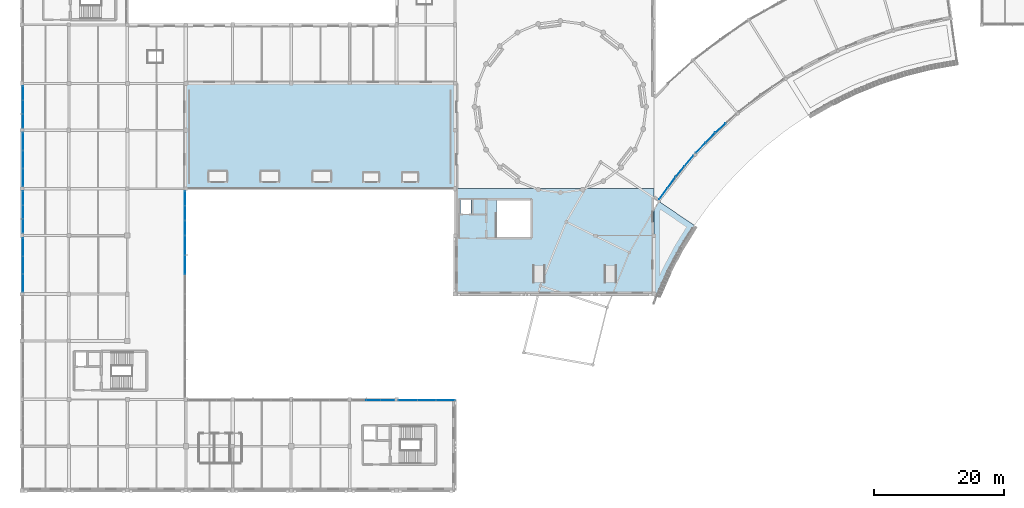
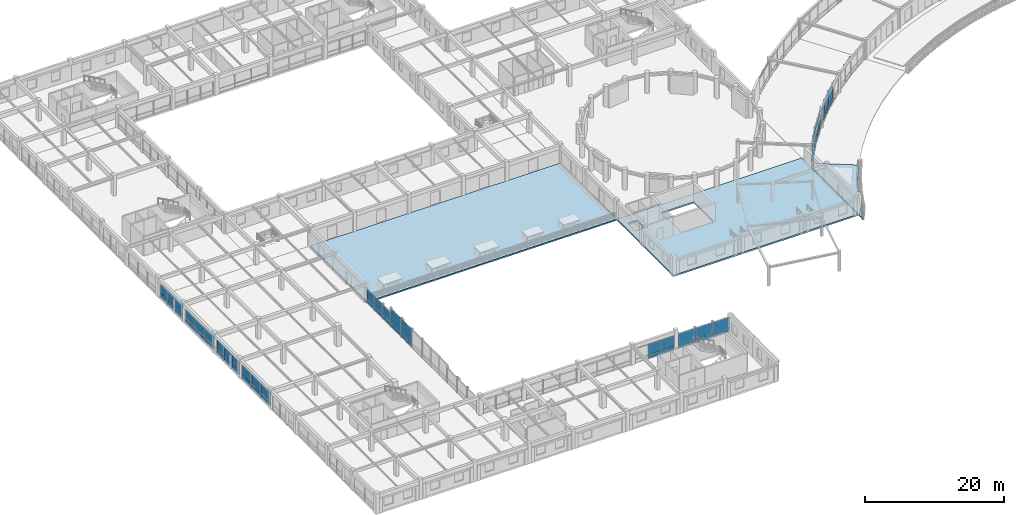
# One storey, part 43 of 74: 58 plates, 3 slabs, 12 elements without a shape of their own.
"""IFC4 building model written with IfcOpenShell, lengths in metres."""

from ifc_helpers import new_model, si_unit, direction, frame, frame_2d, origin, place, context, subcontext, project, spatial, polyline, rectangle, outline, extrude, material, layer, layer_set, type_object, element, aggregate, save


model = new_model("IFC4")

# Units and contexts
model_context = context("Model", 3, precision=1e-05, world=origin(), true_north=direction((0.0, 1.0)))
body_context = subcontext(model_context, "Body", "Model", "MODEL_VIEW")
ifc_project = project(units=[si_unit("LENGTHUNIT", "METRE"), si_unit("AREAUNIT", "SQUARE_METRE"), si_unit("VOLUMEUNIT", "CUBIC_METRE"), si_unit("PLANEANGLEUNIT", "RADIAN"), si_unit("MASSUNIT", "GRAM", prefix="KILO")], contexts=[model_context])

# Site, building, storey
site_placement = place(None, origin())
site = spatial("IfcSite", under=ifc_project, at=site_placement, CompositionType="ELEMENT")
building_placement = place(site_placement, origin())
building = spatial("IfcBuilding", under=site, at=building_placement, Name="Clarverna Civic Hall", CompositionType="ELEMENT")
storey_placement = place(building_placement, frame((0.0, 0.0, 9.60009765625)))
storey = spatial("IfcBuildingStorey", under=building, at=storey_placement, Name="L02", CompositionType="ELEMENT", Elevation=9.60009765625)

# Curtain wall, plates
ifc_material_1 = material(Name="Anodised Bronze Architectural Aluminium", Category="aluminium")
curtain_wall_type_1 = type_object("IfcCurtainWallType", Name="CW-01", PredefinedType="USERDEFINED", material=ifc_material_1)
curtain_wall_1_placement = place(storey_placement, origin())
curtain_wall_1 = element("IfcCurtainWall", 1, at=curtain_wall_1_placement, inside=storey, type_object=curtain_wall_type_1, Name="CW-01-019", ObjectType="UNITISED CURTAIN WALL", PredefinedType="USERDEFINED")
ifc_material_2 = material(Name="Solar-Control Argon Low-E Double Glazing", Category="glass")
ifc_layer_1 = layer(ifc_material_2, 0.031982421875)
ifc_layer_set_1 = layer_set([ifc_layer_1], Name="Solar-Control Argon Low-E Double Glazing")
plate_type_1 = type_object("IfcPlateType", Name="CWP-01", PredefinedType="CURTAIN_PANEL", material=ifc_layer_set_1)
plate_1_placement = place(storey_placement, frame((0.139892578125, 30.56298828125, 0.764892578125), z_axis=(0.0, 0.0, 1.0), x_axis=(0.0, 1.0, 0.0)))
plate_1 = element("IfcPlate", 2, at=plate_1_placement, type_object=plate_type_1, Name="CWP-01-212", PredefinedType="CURTAIN_PANEL", context=body_context, shape_type="SweptSolid", body=[
    extrude(rectangle(XDim=2.712890625, YDim=0.031982421875, at=frame_2d((1.3564453125, 0.0))), origin(), (0.0, 0.0, 1.0), 1.695068359375),
])
plate_2_placement = place(storey_placement, frame((0.139892578125, 33.305908203125, 0.764892578125), z_axis=(0.0, 0.0, 1.0), x_axis=(0.0, 1.0, 0.0)))
plate_2 = element("IfcPlate", 3, at=plate_2_placement, type_object=plate_type_1, Name="CWP-01-213", PredefinedType="CURTAIN_PANEL", context=body_context, shape_type="SweptSolid", body=[
    extrude(rectangle(XDim=2.713134765625, YDim=0.031982421875, at=frame_2d((1.3564453125, 0.0))), origin(), (0.0, 0.0, 1.0), 1.695068359375),
])
plate_3_placement = place(storey_placement, frame((0.139892578125, 36.049072265625, 0.764892578125), z_axis=(0.0, 0.0, 1.0), x_axis=(0.0, 1.0, 0.0)))
plate_3 = element("IfcPlate", 4, at=plate_3_placement, type_object=plate_type_1, Name="CWP-01-214", PredefinedType="CURTAIN_PANEL", context=body_context, shape_type="SweptSolid", body=[
    extrude(rectangle(XDim=2.712890625, YDim=0.031982421875, at=frame_2d((1.3564453125, 0.0))), origin(), (0.0, 0.0, 1.0), 1.695068359375),
])

curtain_wall_2_placement = place(storey_placement, origin())
curtain_wall_2 = element("IfcCurtainWall", 5, at=curtain_wall_2_placement, inside=storey, type_object=curtain_wall_type_1, Name="CW-01-020", ObjectType="UNITISED CURTAIN WALL", PredefinedType="USERDEFINED")
plate_4_placement = place(storey_placement, frame((0.139892578125, 39.637939453125, 0.764892578125), z_axis=(0.0, 0.0, 1.0), x_axis=(0.0, 1.0, 0.0)))
plate_4 = element("IfcPlate", 6, at=plate_4_placement, type_object=plate_type_1, Name="CWP-01-215", PredefinedType="CURTAIN_PANEL", context=body_context, shape_type="SweptSolid", body=[
    extrude(rectangle(XDim=2.104736328125, YDim=0.031982421875, at=frame_2d((1.05224609375, 0.0))), origin(), (0.0, 0.0, 1.0), 1.64501953125),
])
plate_5_placement = place(storey_placement, frame((0.139892578125, 41.772705078125, 0.764892578125), z_axis=(0.0, 0.0, 1.0), x_axis=(0.0, 1.0, 0.0)))
plate_5 = element("IfcPlate", 7, at=plate_5_placement, type_object=plate_type_1, Name="CWP-01-216", PredefinedType="CURTAIN_PANEL", context=body_context, shape_type="SweptSolid", body=[
    extrude(rectangle(XDim=2.1044921875, YDim=0.031982421875, at=frame_2d((1.05224609375, 0.0))), origin(), (0.0, 0.0, 1.0), 1.64501953125),
])
plate_6_placement = place(storey_placement, frame((0.139892578125, 43.9072265625, 0.764892578125), z_axis=(0.0, 0.0, 1.0), x_axis=(0.0, 1.0, 0.0)))
plate_6 = element("IfcPlate", 8, at=plate_6_placement, type_object=plate_type_1, Name="CWP-01-217", PredefinedType="CURTAIN_PANEL", context=body_context, shape_type="SweptSolid", body=[
    extrude(rectangle(XDim=2.104736328125, YDim=0.031982421875, at=frame_2d((1.05224609375, 0.0))), origin(), (0.0, 0.0, 1.0), 1.64501953125),
])

curtain_wall_3_placement = place(storey_placement, origin())
curtain_wall_3 = element("IfcCurtainWall", 9, at=curtain_wall_3_placement, inside=storey, type_object=curtain_wall_type_1, Name="CW-01-021", ObjectType="UNITISED CURTAIN WALL", PredefinedType="USERDEFINED")
plate_7_placement = place(storey_placement, frame((0.139892578125, 46.7880859375, 0.764892578125), z_axis=(0.0, 0.0, 1.0), x_axis=(0.0, 1.0, 0.0)))
plate_7 = element("IfcPlate", 10, at=plate_7_placement, type_object=plate_type_1, Name="CWP-01-218", PredefinedType="CURTAIN_PANEL", context=body_context, shape_type="SweptSolid", body=[
    extrude(rectangle(XDim=2.7294921875, YDim=0.031982421875, at=frame_2d((1.36474609375, 0.0))), origin(), (0.0, 0.0, 1.0), 1.64501953125),
])
plate_8_placement = place(storey_placement, frame((0.139892578125, 49.547607421875, 0.764892578125), z_axis=(0.0, 0.0, 1.0), x_axis=(0.0, 1.0, 0.0)))
plate_8 = element("IfcPlate", 11, at=plate_8_placement, type_object=plate_type_1, Name="CWP-01-219", PredefinedType="CURTAIN_PANEL", context=body_context, shape_type="SweptSolid", body=[
    extrude(rectangle(XDim=2.729736328125, YDim=0.031982421875, at=frame_2d((1.36474609375, 0.0))), origin(), (0.0, 0.0, 1.0), 1.64501953125),
])
plate_9_placement = place(storey_placement, frame((0.139892578125, 52.307373046875, 0.764892578125), z_axis=(0.0, 0.0, 1.0), x_axis=(0.0, 1.0, 0.0)))
plate_9 = element("IfcPlate", 12, at=plate_9_placement, type_object=plate_type_1, Name="CWP-01-220", PredefinedType="CURTAIN_PANEL", context=body_context, shape_type="SweptSolid", body=[
    extrude(rectangle(XDim=2.729736328125, YDim=0.031982421875, at=frame_2d((1.36474609375, 0.0))), origin(), (0.0, 0.0, 1.0), 1.64501953125),
])

curtain_wall_4_placement = place(storey_placement, origin())
curtain_wall_4 = element("IfcCurtainWall", 13, at=curtain_wall_4_placement, inside=storey, type_object=curtain_wall_type_1, Name="CW-01-022", ObjectType="UNITISED CURTAIN WALL", PredefinedType="USERDEFINED")
plate_10_placement = place(storey_placement, frame((0.139892578125, 55.762939453125, 0.764892578125), z_axis=(0.0, 0.0, 1.0), x_axis=(0.0, 1.0, 0.0)))
plate_10 = element("IfcPlate", 14, at=plate_10_placement, type_object=plate_type_1, Name="CWP-01-221", PredefinedType="CURTAIN_PANEL", context=body_context, shape_type="SweptSolid", body=[
    extrude(rectangle(XDim=2.113037109375, YDim=0.031982421875, at=frame_2d((1.056640625, 0.0))), origin(), (0.0, 0.0, 1.0), 1.72509765625),
])
plate_11_placement = place(storey_placement, frame((0.139892578125, 57.906005859375, 0.764892578125), z_axis=(0.0, 0.0, 1.0), x_axis=(0.0, 1.0, 0.0)))
plate_11 = element("IfcPlate", 15, at=plate_11_placement, type_object=plate_type_1, Name="CWP-01-222", PredefinedType="CURTAIN_PANEL", context=body_context, shape_type="SweptSolid", body=[
    extrude(rectangle(XDim=2.113037109375, YDim=0.031982421875, at=frame_2d((1.056640625, 0.0))), origin(), (0.0, 0.0, 1.0), 1.72509765625),
])
plate_12_placement = place(storey_placement, frame((0.139892578125, 60.049072265625, 0.764892578125), z_axis=(0.0, 0.0, 1.0), x_axis=(0.0, 1.0, 0.0)))
plate_12 = element("IfcPlate", 16, at=plate_12_placement, type_object=plate_type_1, Name="CWP-01-223", PredefinedType="CURTAIN_PANEL", context=body_context, shape_type="SweptSolid", body=[
    extrude(rectangle(XDim=2.113037109375, YDim=0.031982421875, at=frame_2d((1.056640625, 0.0))), origin(), (0.0, 0.0, 1.0), 1.72509765625),
])

# Curtain wall, plate
curtain_wall_type_2 = type_object("IfcCurtainWallType", Name="CW-03", PredefinedType="USERDEFINED", material=ifc_material_1)
curtain_wall_5_placement = place(storey_placement, origin())
curtain_wall_5 = element("IfcCurtainWall", 17, at=curtain_wall_5_placement, inside=storey, type_object=curtain_wall_type_2, Name="CW-03-061", ObjectType="UNITISED CURTAIN WALL", PredefinedType="USERDEFINED")
plate_13_placement = place(storey_placement, frame((108.1962890625, 56.42919921875, 0.764892578125), z_axis=(0.0, 0.0, 1.0), x_axis=(-0.743159927566, -0.669113833409, 0.0)))
plate_13 = element("IfcPlate", 18, at=plate_13_placement, type_object=plate_type_1, Name="CWP-01-328", PredefinedType="CURTAIN_PANEL", context=body_context, shape_type="SweptSolid", body=[
    extrude(rectangle(XDim=2.08056640625, YDim=0.031982421875, at=frame_2d((1.040283203125, 0.0))), origin(), (0.0, 0.0, 1.0), 2.175048828125),
])

# Curtain wall, plates
curtain_wall_6_placement = place(storey_placement, origin())
curtain_wall_6 = element("IfcCurtainWall", 19, at=curtain_wall_6_placement, inside=storey, type_object=curtain_wall_type_2, Name="CW-03-062", ObjectType="UNITISED CURTAIN WALL", PredefinedType="USERDEFINED")
plate_14_placement = place(storey_placement, frame((106.57421875, 54.9638671875, 0.764892578125), z_axis=(0.0, 0.0, 1.0), x_axis=(-0.694607089919, -0.719389317848, 0.0)))
plate_14 = element("IfcPlate", 20, at=plate_14_placement, type_object=plate_type_1, Name="CWP-01-329", PredefinedType="CURTAIN_PANEL", context=body_context, shape_type="SweptSolid", body=[
    extrude(rectangle(XDim=2.07861328125, YDim=0.031982421875, at=frame_2d((1.039306640625, 0.0))), origin(), (0.0, 0.0, 1.0), 2.10498046875),
])
plate_15_placement = place(storey_placement, frame((105.109619140625, 53.447021484375, 0.764892578125), z_axis=(0.0, 0.0, 1.0), x_axis=(-0.694665782158, -0.71933264287, 0.0)))
plate_15 = element("IfcPlate", 21, at=plate_15_placement, type_object=plate_type_1, Name="CWP-01-330", PredefinedType="CURTAIN_PANEL", context=body_context, shape_type="SweptSolid", body=[
    extrude(rectangle(XDim=2.078369140625, YDim=0.031982421875, at=frame_2d((1.0390625, 0.0))), origin(), (0.0, 0.0, 1.0), 2.10498046875),
])

curtain_wall_7_placement = place(storey_placement, origin())
curtain_wall_7 = element("IfcCurtainWall", 22, at=curtain_wall_7_placement, inside=storey, type_object=curtain_wall_type_2, Name="CW-03-063", ObjectType="UNITISED CURTAIN WALL", PredefinedType="USERDEFINED")
plate_16_placement = place(storey_placement, frame((103.226318359375, 51.462646484375, 0.764892578125), z_axis=(0.0, 0.0, 1.0), x_axis=(-0.642802058344, -0.766032319024, 0.0)))
plate_16 = element("IfcPlate", 23, at=plate_16_placement, type_object=plate_type_1, Name="CWP-01-331", PredefinedType="CURTAIN_PANEL", context=body_context, shape_type="SweptSolid", body=[
    extrude(rectangle(XDim=2.0703125, YDim=0.031982421875, at=frame_2d((1.03515625, 0.0))), origin(), (0.0, 0.0, 1.0), 2.10498046875),
])
plate_17_placement = place(storey_placement, frame((101.876220703125, 49.853759765625, 0.764892578125), z_axis=(0.0, 0.0, 1.0), x_axis=(-0.642802058344, -0.766032319024, 0.0)))
plate_17 = element("IfcPlate", 24, at=plate_17_placement, type_object=plate_type_1, Name="CWP-01-332", PredefinedType="CURTAIN_PANEL", context=body_context, shape_type="SweptSolid", body=[
    extrude(rectangle(XDim=2.0703125, YDim=0.031982421875, at=frame_2d((1.03515625, 0.0))), origin(), (0.0, 0.0, 1.0), 2.10498046875),
])

curtain_wall_8_placement = place(storey_placement, origin())
curtain_wall_8 = element("IfcCurtainWall", 25, at=curtain_wall_8_placement, inside=storey, type_object=curtain_wall_type_2, Name="CW-03-064", ObjectType="UNITISED CURTAIN WALL", PredefinedType="USERDEFINED")
plate_18_placement = place(storey_placement, frame((100.480224609375, 48.1845703125, 0.764892578125), z_axis=(0.0, 0.0, 1.0), x_axis=(-0.587823380282, -0.808989291396, 0.0)))
plate_18 = element("IfcPlate", 26, at=plate_18_placement, type_object=plate_type_1, Name="CWP-01-333", PredefinedType="CURTAIN_PANEL", context=body_context, shape_type="SweptSolid", body=[
    extrude(rectangle(XDim=2.084228515625, YDim=0.031982421875, at=frame_2d((1.0419921875, 0.0))), origin(), (0.0, 0.0, 1.0), 2.094970703125),
])
plate_19_placement = place(storey_placement, frame((99.237548828125, 46.474365234375, 0.764892578125), z_axis=(0.0, 0.0, 1.0), x_axis=(-0.587691003537, -0.809085461717, 0.0)))
plate_19 = element("IfcPlate", 27, at=plate_19_placement, type_object=plate_type_1, Name="CWP-01-334", PredefinedType="CURTAIN_PANEL", context=body_context, shape_type="SweptSolid", body=[
    extrude(rectangle(XDim=2.084228515625, YDim=0.031982421875, at=frame_2d((1.0419921875, 0.0))), origin(), (0.0, 0.0, 1.0), 2.094970703125),
])

curtain_wall_9_placement = place(storey_placement, origin())
curtain_wall_9 = element("IfcCurtainWall", 28, at=curtain_wall_9_placement, inside=storey, type_object=curtain_wall_type_1, Name="CW-01-054", ObjectType="UNITISED CURTAIN WALL", PredefinedType="USERDEFINED")
plate_20_placement = place(storey_placement, frame((25.06005859375, 46.037109375, 0.764892578125), z_axis=(0.0, 0.0, 1.0), x_axis=(0.0, -1.0, 0.0)))
plate_20 = element("IfcPlate", 29, at=plate_20_placement, type_object=plate_type_1, Name="CWP-01-335", PredefinedType="CURTAIN_PANEL", context=body_context, shape_type="SweptSolid", body=[
    extrude(rectangle(XDim=2.2431640625, YDim=0.031982421875, at=frame_2d((1.12158203125, 0.0))), origin(), (0.0, 0.0, 1.0), 1.72509765625),
])
plate_21_placement = place(storey_placement, frame((25.06005859375, 43.763916015625, 0.764892578125), z_axis=(0.0, 0.0, 1.0), x_axis=(0.0, -1.0, 0.0)))
plate_21 = element("IfcPlate", 30, at=plate_21_placement, type_object=plate_type_1, Name="CWP-01-336", PredefinedType="CURTAIN_PANEL", context=body_context, shape_type="SweptSolid", body=[
    extrude(rectangle(XDim=2.242919921875, YDim=0.031982421875, at=frame_2d((1.12158203125, 0.0))), origin(), (0.0, 0.0, 1.0), 1.72509765625),
])
plate_22_placement = place(storey_placement, frame((25.06005859375, 41.490966796875, 0.764892578125), z_axis=(0.0, 0.0, 1.0), x_axis=(0.0, -1.0, 0.0)))
plate_22 = element("IfcPlate", 31, at=plate_22_placement, type_object=plate_type_1, Name="CWP-01-337", PredefinedType="CURTAIN_PANEL", context=body_context, shape_type="SweptSolid", body=[
    extrude(rectangle(XDim=2.242919921875, YDim=0.031982421875, at=frame_2d((1.12158203125, 0.0))), origin(), (0.0, 0.0, 1.0), 1.72509765625),
])

curtain_wall_10_placement = place(storey_placement, origin())
curtain_wall_10 = element("IfcCurtainWall", 32, at=curtain_wall_10_placement, inside=storey, type_object=curtain_wall_type_1, Name="CW-01-055", ObjectType="UNITISED CURTAIN WALL", PredefinedType="USERDEFINED")
plate_23_placement = place(storey_placement, frame((25.06005859375, 39.152099609375, 0.764892578125), z_axis=(0.0, 0.0, 1.0), x_axis=(0.0, -1.0, 0.0)))
plate_23 = element("IfcPlate", 33, at=plate_23_placement, type_object=plate_type_1, Name="CWP-01-338", PredefinedType="CURTAIN_PANEL", context=body_context, shape_type="SweptSolid", body=[
    extrude(rectangle(XDim=2.947998046875, YDim=0.031982421875, at=frame_2d((1.47412109375, 0.0))), origin(), (0.0, 0.0, 1.0), 2.445068359375),
])
plate_24_placement = place(storey_placement, frame((25.06005859375, 36.174072265625, 0.764892578125), z_axis=(0.0, 0.0, 1.0), x_axis=(0.0, -1.0, 0.0)))
plate_24 = element("IfcPlate", 34, at=plate_24_placement, type_object=plate_type_1, Name="CWP-01-339", PredefinedType="CURTAIN_PANEL", context=body_context, shape_type="SweptSolid", body=[
    extrude(rectangle(XDim=2.947998046875, YDim=0.031982421875, at=frame_2d((1.47412109375, 0.0))), origin(), (0.0, 0.0, 1.0), 2.445068359375),
])

curtain_wall_11_placement = place(storey_placement, origin())
curtain_wall_11 = element("IfcCurtainWall", 35, at=curtain_wall_11_placement, inside=storey, type_object=curtain_wall_type_1, Name="CW-01-061", ObjectType="UNITISED CURTAIN WALL", PredefinedType="USERDEFINED")
plate_25_placement = place(storey_placement, frame((52.94775390625, 13.860107421875, 0.764892578125), z_axis=(0.0, 0.0, 1.0), x_axis=(1.0, 0.0, 0.0)))
plate_25 = element("IfcPlate", 36, at=plate_25_placement, type_object=plate_type_1, Name="CWP-01-357", PredefinedType="CURTAIN_PANEL", context=body_context, shape_type="SweptSolid", body=[
    extrude(rectangle(XDim=2.129638671875, YDim=0.031982421875, at=frame_2d((1.06494140625, 0.0))), origin(), (0.0, 0.0, 1.0), 1.824951171875),
])
plate_26_placement = place(storey_placement, frame((55.107421875, 13.860107421875, 0.764892578125), z_axis=(0.0, 0.0, 1.0), x_axis=(1.0, 0.0, 0.0)))
plate_26 = element("IfcPlate", 37, at=plate_26_placement, type_object=plate_type_1, Name="CWP-01-358", PredefinedType="CURTAIN_PANEL", context=body_context, shape_type="SweptSolid", body=[
    extrude(rectangle(XDim=2.129638671875, YDim=0.031982421875, at=frame_2d((1.06494140625, 0.0))), origin(), (0.0, 0.0, 1.0), 1.824951171875),
])

curtain_wall_12_placement = place(storey_placement, origin())
curtain_wall_12 = element("IfcCurtainWall", 38, at=curtain_wall_12_placement, inside=storey, type_object=curtain_wall_type_1, Name="CW-01-062", ObjectType="UNITISED CURTAIN WALL", PredefinedType="USERDEFINED")
plate_27_placement = place(storey_placement, frame((57.962890625, 13.860107421875, 0.764892578125), z_axis=(0.0, 0.0, 1.0), x_axis=(1.0, 0.0, 0.0)))
plate_27 = element("IfcPlate", 39, at=plate_27_placement, type_object=plate_type_1, Name="CWP-01-359", PredefinedType="CURTAIN_PANEL", context=body_context, shape_type="SweptSolid", body=[
    extrude(rectangle(XDim=2.834716796875, YDim=0.031982421875, at=frame_2d((1.41748046875, 0.0))), origin(), (0.0, 0.0, 1.0), 1.885009765625),
])
plate_28_placement = place(storey_placement, frame((60.82763671875, 13.860107421875, 0.764892578125), z_axis=(0.0, 0.0, 1.0), x_axis=(1.0, 0.0, 0.0)))
plate_28 = element("IfcPlate", 40, at=plate_28_placement, type_object=plate_type_1, Name="CWP-01-360", PredefinedType="CURTAIN_PANEL", context=body_context, shape_type="SweptSolid", body=[
    extrude(rectangle(XDim=2.834716796875, YDim=0.031982421875, at=frame_2d((1.41748046875, 0.0))), origin(), (0.0, 0.0, 1.0), 1.885009765625),
])
plate_29_placement = place(storey_placement, frame((63.6923828125, 13.860107421875, 0.764892578125), z_axis=(0.0, 0.0, 1.0), x_axis=(1.0, 0.0, 0.0)))
plate_29 = element("IfcPlate", 41, at=plate_29_placement, type_object=plate_type_1, Name="CWP-01-361", PredefinedType="CURTAIN_PANEL", context=body_context, shape_type="SweptSolid", body=[
    extrude(rectangle(XDim=2.834716796875, YDim=0.031982421875, at=frame_2d((1.41748046875, 0.0))), origin(), (0.0, 0.0, 1.0), 1.885009765625),
])

# Plate
ifc_material_3 = material(Name="Insulated Anodised Bronze Spandrel Panel", Category="aluminium")
ifc_layer_2 = layer(ifc_material_3, 0.048095703125)
ifc_layer_set_2 = layer_set([ifc_layer_2], Name="Insulated Anodised Bronze Spandrel Panel")
plate_type_2 = type_object("IfcPlateType", Name="CWP-03", PredefinedType="CURTAIN_PANEL", material=ifc_layer_set_2)
plate_30_placement = place(storey_placement, frame((0.139892578125, 30.56298828125, 0.10986328125), z_axis=(0.0, 0.0, 1.0), x_axis=(0.0, 1.0, 0.0)))
plate_30 = element("IfcPlate", 42, at=plate_30_placement, type_object=plate_type_2, Name="CWP-03-214", PredefinedType="CURTAIN_PANEL", context=body_context, shape_type="SweptSolid", body=[
    extrude(rectangle(XDim=2.712890625, YDim=0.048095703125, at=frame_2d((1.3564453125, 0.0))), origin(), (0.0, 0.0, 1.0), 0.625),
])

plate_31_placement = place(storey_placement, frame((0.139892578125, 33.305908203125, 0.10986328125), z_axis=(0.0, 0.0, 1.0), x_axis=(0.0, 1.0, 0.0)))
plate_31 = element("IfcPlate", 43, at=plate_31_placement, type_object=plate_type_2, Name="CWP-03-215", PredefinedType="CURTAIN_PANEL", context=body_context, shape_type="SweptSolid", body=[
    extrude(rectangle(XDim=2.713134765625, YDim=0.048095703125, at=frame_2d((1.3564453125, 0.0))), origin(), (0.0, 0.0, 1.0), 0.625),
])

plate_32_placement = place(storey_placement, frame((0.139892578125, 36.049072265625, 0.10986328125), z_axis=(0.0, 0.0, 1.0), x_axis=(0.0, 1.0, 0.0)))
plate_32 = element("IfcPlate", 44, at=plate_32_placement, type_object=plate_type_2, Name="CWP-03-216", PredefinedType="CURTAIN_PANEL", context=body_context, shape_type="SweptSolid", body=[
    extrude(rectangle(XDim=2.712890625, YDim=0.048095703125, at=frame_2d((1.3564453125, 0.0))), origin(), (0.0, 0.0, 1.0), 0.625),
])

aggregate(curtain_wall_1, [plate_30, plate_1, plate_31, plate_2, plate_32, plate_3])

plate_33_placement = place(storey_placement, frame((0.139892578125, 39.637939453125, 0.10986328125), z_axis=(0.0, 0.0, 1.0), x_axis=(0.0, 1.0, 0.0)))
plate_33 = element("IfcPlate", 45, at=plate_33_placement, type_object=plate_type_2, Name="CWP-03-217", PredefinedType="CURTAIN_PANEL", context=body_context, shape_type="SweptSolid", body=[
    extrude(rectangle(XDim=2.104736328125, YDim=0.048095703125, at=frame_2d((1.05224609375, 0.0))), origin(), (0.0, 0.0, 1.0), 0.625),
])

plate_34_placement = place(storey_placement, frame((0.139892578125, 41.772705078125, 0.10986328125), z_axis=(0.0, 0.0, 1.0), x_axis=(0.0, 1.0, 0.0)))
plate_34 = element("IfcPlate", 46, at=plate_34_placement, type_object=plate_type_2, Name="CWP-03-218", PredefinedType="CURTAIN_PANEL", context=body_context, shape_type="SweptSolid", body=[
    extrude(rectangle(XDim=2.1044921875, YDim=0.048095703125, at=frame_2d((1.05224609375, 0.0))), origin(), (0.0, 0.0, 1.0), 0.625),
])

plate_35_placement = place(storey_placement, frame((0.139892578125, 43.9072265625, 0.10986328125), z_axis=(0.0, 0.0, 1.0), x_axis=(0.0, 1.0, 0.0)))
plate_35 = element("IfcPlate", 47, at=plate_35_placement, type_object=plate_type_2, Name="CWP-03-219", PredefinedType="CURTAIN_PANEL", context=body_context, shape_type="SweptSolid", body=[
    extrude(rectangle(XDim=2.104736328125, YDim=0.048095703125, at=frame_2d((1.05224609375, 0.0))), origin(), (0.0, 0.0, 1.0), 0.625),
])

aggregate(curtain_wall_2, [plate_33, plate_4, plate_34, plate_5, plate_35, plate_6])

plate_36_placement = place(storey_placement, frame((0.139892578125, 46.7880859375, 0.10986328125), z_axis=(0.0, 0.0, 1.0), x_axis=(0.0, 1.0, 0.0)))
plate_36 = element("IfcPlate", 48, at=plate_36_placement, type_object=plate_type_2, Name="CWP-03-220", PredefinedType="CURTAIN_PANEL", context=body_context, shape_type="SweptSolid", body=[
    extrude(rectangle(XDim=2.7294921875, YDim=0.048095703125, at=frame_2d((1.36474609375, 0.0))), origin(), (0.0, 0.0, 1.0), 0.625),
])

plate_37_placement = place(storey_placement, frame((0.139892578125, 49.547607421875, 0.10986328125), z_axis=(0.0, 0.0, 1.0), x_axis=(0.0, 1.0, 0.0)))
plate_37 = element("IfcPlate", 49, at=plate_37_placement, type_object=plate_type_2, Name="CWP-03-221", PredefinedType="CURTAIN_PANEL", context=body_context, shape_type="SweptSolid", body=[
    extrude(rectangle(XDim=2.729736328125, YDim=0.048095703125, at=frame_2d((1.36474609375, 0.0))), origin(), (0.0, 0.0, 1.0), 0.625),
])

plate_38_placement = place(storey_placement, frame((0.139892578125, 52.307373046875, 0.10986328125), z_axis=(0.0, 0.0, 1.0), x_axis=(0.0, 1.0, 0.0)))
plate_38 = element("IfcPlate", 50, at=plate_38_placement, type_object=plate_type_2, Name="CWP-03-222", PredefinedType="CURTAIN_PANEL", context=body_context, shape_type="SweptSolid", body=[
    extrude(rectangle(XDim=2.729736328125, YDim=0.048095703125, at=frame_2d((1.36474609375, 0.0))), origin(), (0.0, 0.0, 1.0), 0.625),
])

aggregate(curtain_wall_3, [plate_36, plate_7, plate_37, plate_8, plate_38, plate_9])

plate_39_placement = place(storey_placement, frame((0.139892578125, 55.762939453125, 0.10986328125), z_axis=(0.0, 0.0, 1.0), x_axis=(0.0, 1.0, 0.0)))
plate_39 = element("IfcPlate", 51, at=plate_39_placement, type_object=plate_type_2, Name="CWP-03-223", PredefinedType="CURTAIN_PANEL", context=body_context, shape_type="SweptSolid", body=[
    extrude(rectangle(XDim=2.113037109375, YDim=0.048095703125, at=frame_2d((1.056640625, 0.0))), origin(), (0.0, 0.0, 1.0), 0.625),
])

plate_40_placement = place(storey_placement, frame((0.139892578125, 57.906005859375, 0.10986328125), z_axis=(0.0, 0.0, 1.0), x_axis=(0.0, 1.0, 0.0)))
plate_40 = element("IfcPlate", 52, at=plate_40_placement, type_object=plate_type_2, Name="CWP-03-224", PredefinedType="CURTAIN_PANEL", context=body_context, shape_type="SweptSolid", body=[
    extrude(rectangle(XDim=2.113037109375, YDim=0.048095703125, at=frame_2d((1.056640625, 0.0))), origin(), (0.0, 0.0, 1.0), 0.625),
])

plate_41_placement = place(storey_placement, frame((0.139892578125, 60.049072265625, 0.10986328125), z_axis=(0.0, 0.0, 1.0), x_axis=(0.0, 1.0, 0.0)))
plate_41 = element("IfcPlate", 53, at=plate_41_placement, type_object=plate_type_2, Name="CWP-03-225", PredefinedType="CURTAIN_PANEL", context=body_context, shape_type="SweptSolid", body=[
    extrude(rectangle(XDim=2.113037109375, YDim=0.048095703125, at=frame_2d((1.056640625, 0.0))), origin(), (0.0, 0.0, 1.0), 0.625),
])

aggregate(curtain_wall_4, [plate_39, plate_10, plate_40, plate_11, plate_41, plate_12])

plate_42_placement = place(storey_placement, frame((108.1962890625, 56.42919921875, 0.10986328125), z_axis=(0.0, 0.0, 1.0), x_axis=(-0.743159927566, -0.669113833409, 0.0)))
plate_42 = element("IfcPlate", 54, at=plate_42_placement, type_object=plate_type_2, Name="CWP-03-330", PredefinedType="CURTAIN_PANEL", context=body_context, shape_type="SweptSolid", body=[
    extrude(rectangle(XDim=2.08056640625, YDim=0.048095703125, at=frame_2d((1.040283203125, 0.0))), origin(), (0.0, 0.0, 1.0), 0.625),
])

aggregate(curtain_wall_5, [plate_42, plate_13])

plate_43_placement = place(storey_placement, frame((106.57421875, 54.9638671875, 0.10986328125), z_axis=(0.0, 0.0, 1.0), x_axis=(-0.694607089919, -0.719389317848, 0.0)))
plate_43 = element("IfcPlate", 55, at=plate_43_placement, type_object=plate_type_2, Name="CWP-03-331", PredefinedType="CURTAIN_PANEL", context=body_context, shape_type="SweptSolid", body=[
    extrude(rectangle(XDim=2.07861328125, YDim=0.048095703125, at=frame_2d((1.039306640625, 0.0))), origin(), (0.0, 0.0, 1.0), 0.625),
])

plate_44_placement = place(storey_placement, frame((105.109619140625, 53.447021484375, 0.10986328125), z_axis=(0.0, 0.0, 1.0), x_axis=(-0.694665782158, -0.71933264287, 0.0)))
plate_44 = element("IfcPlate", 56, at=plate_44_placement, type_object=plate_type_2, Name="CWP-03-332", PredefinedType="CURTAIN_PANEL", context=body_context, shape_type="SweptSolid", body=[
    extrude(rectangle(XDim=2.078369140625, YDim=0.048095703125, at=frame_2d((1.0390625, 0.0))), origin(), (0.0, 0.0, 1.0), 0.625),
])

aggregate(curtain_wall_6, [plate_43, plate_14, plate_44, plate_15])

plate_45_placement = place(storey_placement, frame((103.226318359375, 51.462646484375, 0.10986328125), z_axis=(0.0, 0.0, 1.0), x_axis=(-0.642802058344, -0.766032319024, 0.0)))
plate_45 = element("IfcPlate", 57, at=plate_45_placement, type_object=plate_type_2, Name="CWP-03-333", PredefinedType="CURTAIN_PANEL", context=body_context, shape_type="SweptSolid", body=[
    extrude(rectangle(XDim=2.0703125, YDim=0.048095703125, at=frame_2d((1.03515625, 0.0))), origin(), (0.0, 0.0, 1.0), 0.625),
])

plate_46_placement = place(storey_placement, frame((101.876220703125, 49.853759765625, 0.10986328125), z_axis=(0.0, 0.0, 1.0), x_axis=(-0.642802058344, -0.766032319024, 0.0)))
plate_46 = element("IfcPlate", 58, at=plate_46_placement, type_object=plate_type_2, Name="CWP-03-334", PredefinedType="CURTAIN_PANEL", context=body_context, shape_type="SweptSolid", body=[
    extrude(rectangle(XDim=2.0703125, YDim=0.048095703125, at=frame_2d((1.03515625, 0.0))), origin(), (0.0, 0.0, 1.0), 0.625),
])

aggregate(curtain_wall_7, [plate_45, plate_16, plate_46, plate_17])

plate_47_placement = place(storey_placement, frame((100.480224609375, 48.1845703125, 0.10986328125), z_axis=(0.0, 0.0, 1.0), x_axis=(-0.587823380282, -0.808989291396, 0.0)))
plate_47 = element("IfcPlate", 59, at=plate_47_placement, type_object=plate_type_2, Name="CWP-03-335", PredefinedType="CURTAIN_PANEL", context=body_context, shape_type="SweptSolid", body=[
    extrude(rectangle(XDim=2.084228515625, YDim=0.048095703125, at=frame_2d((1.0419921875, 0.0))), origin(), (0.0, 0.0, 1.0), 0.625),
])

plate_48_placement = place(storey_placement, frame((99.237548828125, 46.474365234375, 0.10986328125), z_axis=(0.0, 0.0, 1.0), x_axis=(-0.587691003537, -0.809085461717, 0.0)))
plate_48 = element("IfcPlate", 60, at=plate_48_placement, type_object=plate_type_2, Name="CWP-03-336", PredefinedType="CURTAIN_PANEL", context=body_context, shape_type="SweptSolid", body=[
    extrude(rectangle(XDim=2.084228515625, YDim=0.048095703125, at=frame_2d((1.0419921875, 0.0))), origin(), (0.0, 0.0, 1.0), 0.625),
])

aggregate(curtain_wall_8, [plate_47, plate_18, plate_48, plate_19])

plate_49_placement = place(storey_placement, frame((25.06005859375, 46.037109375, 0.10986328125), z_axis=(0.0, 0.0, 1.0), x_axis=(0.0, -1.0, 0.0)))
plate_49 = element("IfcPlate", 61, at=plate_49_placement, type_object=plate_type_2, Name="CWP-03-337", PredefinedType="CURTAIN_PANEL", context=body_context, shape_type="SweptSolid", body=[
    extrude(rectangle(XDim=2.2431640625, YDim=0.048095703125, at=frame_2d((1.12158203125, 0.0))), origin(), (0.0, 0.0, 1.0), 0.625),
])

plate_50_placement = place(storey_placement, frame((25.06005859375, 43.763916015625, 0.10986328125), z_axis=(0.0, 0.0, 1.0), x_axis=(0.0, -1.0, 0.0)))
plate_50 = element("IfcPlate", 62, at=plate_50_placement, type_object=plate_type_2, Name="CWP-03-338", PredefinedType="CURTAIN_PANEL", context=body_context, shape_type="SweptSolid", body=[
    extrude(rectangle(XDim=2.242919921875, YDim=0.048095703125, at=frame_2d((1.12158203125, 0.0))), origin(), (0.0, 0.0, 1.0), 0.625),
])

plate_51_placement = place(storey_placement, frame((25.06005859375, 41.490966796875, 0.10986328125), z_axis=(0.0, 0.0, 1.0), x_axis=(0.0, -1.0, 0.0)))
plate_51 = element("IfcPlate", 63, at=plate_51_placement, type_object=plate_type_2, Name="CWP-03-339", PredefinedType="CURTAIN_PANEL", context=body_context, shape_type="SweptSolid", body=[
    extrude(rectangle(XDim=2.242919921875, YDim=0.048095703125, at=frame_2d((1.12158203125, 0.0))), origin(), (0.0, 0.0, 1.0), 0.625),
])

aggregate(curtain_wall_9, [plate_49, plate_20, plate_50, plate_21, plate_51, plate_22])

plate_52_placement = place(storey_placement, frame((25.06005859375, 39.152099609375, 0.10986328125), z_axis=(0.0, 0.0, 1.0), x_axis=(0.0, -1.0, 0.0)))
plate_52 = element("IfcPlate", 64, at=plate_52_placement, type_object=plate_type_2, Name="CWP-03-340", PredefinedType="CURTAIN_PANEL", context=body_context, shape_type="SweptSolid", body=[
    extrude(rectangle(XDim=2.947998046875, YDim=0.048095703125, at=frame_2d((1.47412109375, 0.0))), origin(), (0.0, 0.0, 1.0), 0.625),
])

plate_53_placement = place(storey_placement, frame((25.06005859375, 36.174072265625, 0.10986328125), z_axis=(0.0, 0.0, 1.0), x_axis=(0.0, -1.0, 0.0)))
plate_53 = element("IfcPlate", 65, at=plate_53_placement, type_object=plate_type_2, Name="CWP-03-341", PredefinedType="CURTAIN_PANEL", context=body_context, shape_type="SweptSolid", body=[
    extrude(rectangle(XDim=2.947998046875, YDim=0.048095703125, at=frame_2d((1.47412109375, 0.0))), origin(), (0.0, 0.0, 1.0), 0.625),
])

aggregate(curtain_wall_10, [plate_52, plate_23, plate_53, plate_24])

plate_54_placement = place(storey_placement, frame((52.94775390625, 13.860107421875, 0.10986328125), z_axis=(0.0, 0.0, 1.0), x_axis=(1.0, 0.0, 0.0)))
plate_54 = element("IfcPlate", 66, at=plate_54_placement, type_object=plate_type_2, Name="CWP-03-359", PredefinedType="CURTAIN_PANEL", context=body_context, shape_type="SweptSolid", body=[
    extrude(rectangle(XDim=2.129638671875, YDim=0.048095703125, at=frame_2d((1.06494140625, 0.0))), origin(), (0.0, 0.0, 1.0), 0.625),
])

plate_55_placement = place(storey_placement, frame((55.107421875, 13.860107421875, 0.10986328125), z_axis=(0.0, 0.0, 1.0), x_axis=(1.0, 0.0, 0.0)))
plate_55 = element("IfcPlate", 67, at=plate_55_placement, type_object=plate_type_2, Name="CWP-03-360", PredefinedType="CURTAIN_PANEL", context=body_context, shape_type="SweptSolid", body=[
    extrude(rectangle(XDim=2.129638671875, YDim=0.048095703125, at=frame_2d((1.06494140625, 0.0))), origin(), (0.0, 0.0, 1.0), 0.625),
])

aggregate(curtain_wall_11, [plate_54, plate_25, plate_55, plate_26])

plate_56_placement = place(storey_placement, frame((57.962890625, 13.860107421875, 0.10986328125), z_axis=(0.0, 0.0, 1.0), x_axis=(1.0, 0.0, 0.0)))
plate_56 = element("IfcPlate", 68, at=plate_56_placement, type_object=plate_type_2, Name="CWP-03-361", PredefinedType="CURTAIN_PANEL", context=body_context, shape_type="SweptSolid", body=[
    extrude(rectangle(XDim=2.834716796875, YDim=0.048095703125, at=frame_2d((1.41748046875, 0.0))), origin(), (0.0, 0.0, 1.0), 0.625),
])

plate_57_placement = place(storey_placement, frame((60.82763671875, 13.860107421875, 0.10986328125), z_axis=(0.0, 0.0, 1.0), x_axis=(1.0, 0.0, 0.0)))
plate_57 = element("IfcPlate", 69, at=plate_57_placement, type_object=plate_type_2, Name="CWP-03-362", PredefinedType="CURTAIN_PANEL", context=body_context, shape_type="SweptSolid", body=[
    extrude(rectangle(XDim=2.834716796875, YDim=0.048095703125, at=frame_2d((1.41748046875, 0.0))), origin(), (0.0, 0.0, 1.0), 0.625),
])

plate_58_placement = place(storey_placement, frame((63.6923828125, 13.860107421875, 0.10986328125), z_axis=(0.0, 0.0, 1.0), x_axis=(1.0, 0.0, 0.0)))
plate_58 = element("IfcPlate", 70, at=plate_58_placement, type_object=plate_type_2, Name="CWP-03-363", PredefinedType="CURTAIN_PANEL", context=body_context, shape_type="SweptSolid", body=[
    extrude(rectangle(XDim=2.834716796875, YDim=0.048095703125, at=frame_2d((1.41748046875, 0.0))), origin(), (0.0, 0.0, 1.0), 0.625),
])

aggregate(curtain_wall_12, [plate_56, plate_27, plate_57, plate_28, plate_58, plate_29])

# Slabs
ifc_material_4 = material(Name="Concrete C30/37", Category="concrete")
ifc_layer_3 = layer(ifc_material_4, 0.280029296875)
ifc_layer_set_3 = layer_set([ifc_layer_3], Name="Concrete C30/37")
slab_type_1 = type_object("IfcSlabType", Name="SL-FL4", PredefinedType="FLOOR", material=ifc_layer_set_3)
slab_1_placement = place(storey_placement, frame((0.0, 0.0, -0.280029296875)))
element("IfcSlab", 71, at=slab_1_placement, inside=storey, type_object=slab_type_1, Name="SL-FL4-009", PredefinedType="FLOOR", context=body_context, shape_type="SweptSolid", body=[
    extrude(outline(polyline([(97.175048828125, 46.39990234375), (66.625, 46.39990234375), (66.625, 30.199951171875), (97.175048828125, 30.199951171875), (97.175048828125, 46.39990234375)]), holes=[polyline([(72.949951171875, 38.919921875), (78.35009765625, 38.919921875), (78.35009765625, 44.679931640625), (72.949951171875, 44.679931640625), (72.949951171875, 38.919921875)]), polyline([(67.469970703125, 42.5400390625), (69.030029296875, 42.5400390625), (69.030029296875, 44.699951171875), (67.469970703125, 44.699951171875), (67.469970703125, 42.5400390625)])]), origin(), (0.0, 0.0, 1.0), 0.280029296875),
])
ifc_layer_4 = layer(ifc_material_4, 0.239990234375)
ifc_layer_set_4 = layer_set([ifc_layer_4], Name="Concrete C30/37")
slab_type_2 = type_object("IfcSlabType", Name="SL-TR1", PredefinedType="FLOOR", material=ifc_layer_set_4)
slab_2_placement = place(storey_placement, frame((0.0, 0.0, -0.239990234375)))
element("IfcSlab", 72, at=slab_2_placement, inside=storey, type_object=slab_type_2, Name="SL-TR1-006", PredefinedType="FLOOR", context=body_context, shape_type="SweptSolid", body=[
    extrude(outline(polyline([(99.330810546875, 33.6884765625), (101.2509765625, 37.300048828125), (103.41845703125, 40.768798828125), (97.94677734375, 44.45947265625), (97.22509765625, 43.30419921875), (97.22509765625, 28.737548828125), (97.6669921875, 29.951904296875), (99.330810546875, 33.6884765625)])), origin(), (0.0, 0.0, 1.0), 0.239990234375),
])
slab_3_placement = place(storey_placement, frame((0.0, 0.0, -0.239990234375)))
element("IfcSlab", 73, at=slab_3_placement, inside=storey, type_object=slab_type_2, Name="SL-TR1-007", PredefinedType="FLOOR", context=body_context, shape_type="SweptSolid", body=[
    extrude(outline(polyline([(25.199951171875, 46.39990234375), (66.574951171875, 46.39990234375), (66.574951171875, 62.60009765625), (25.199951171875, 62.60009765625), (25.199951171875, 46.39990234375)])), origin(), (0.0, 0.0, 1.0), 0.239990234375),
])

save(model, "model.ifc")
